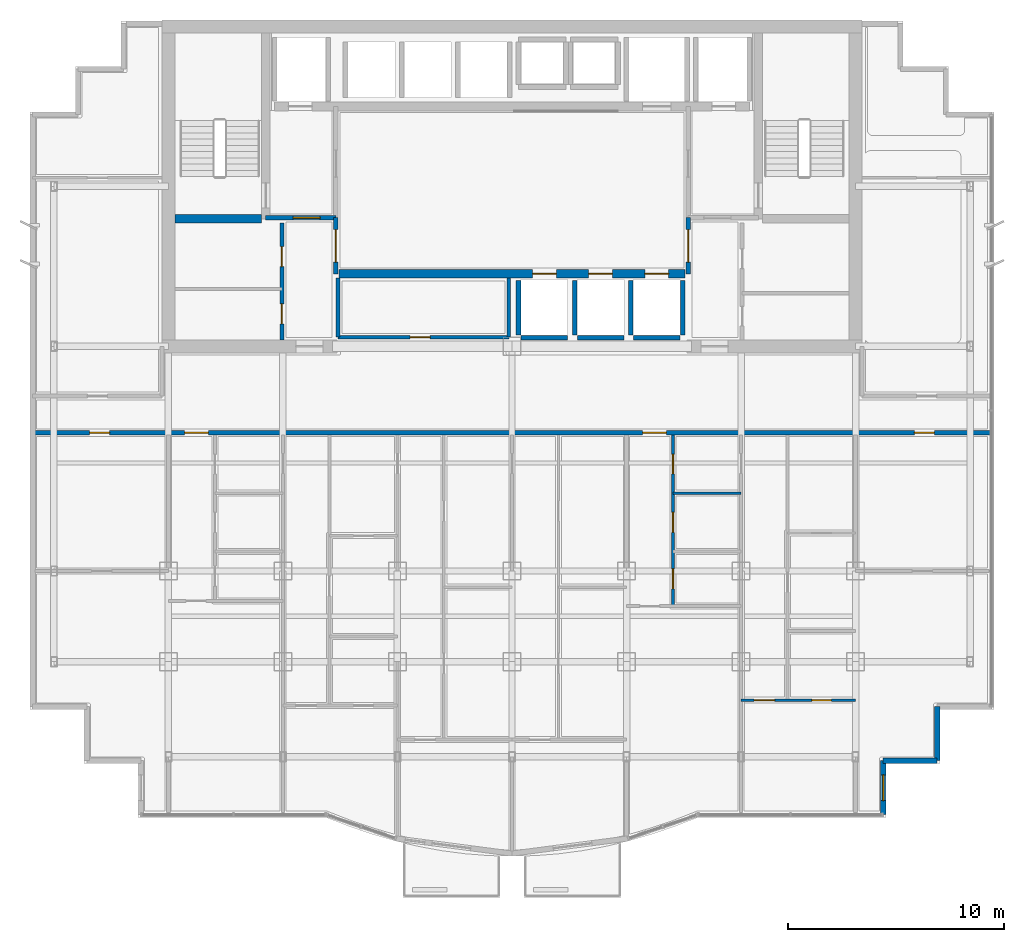
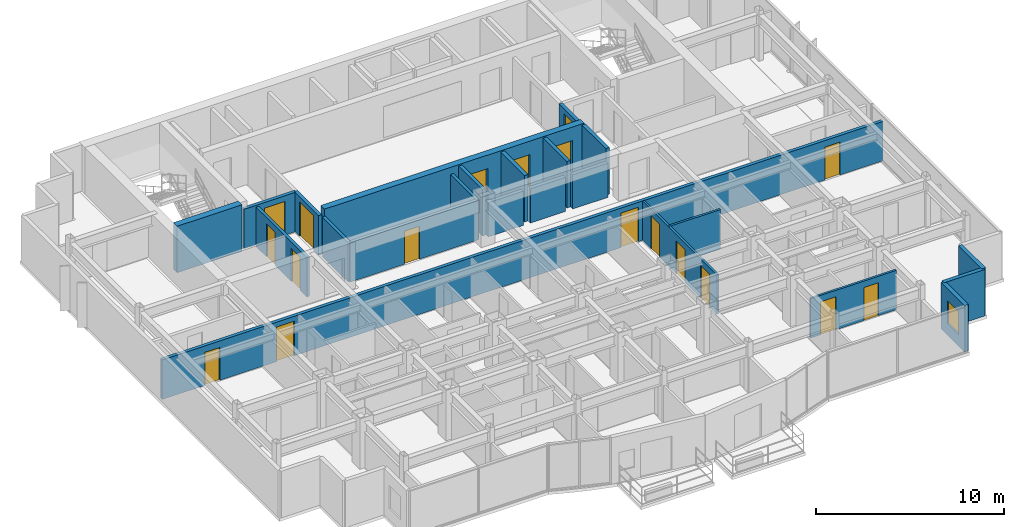
# One storey, part 9 of 13: 23 walls, 18 doors, 1 window, 19 openings.
"""IFC4 building model written with IfcOpenShell, lengths in metres."""

from ifc_helpers import new_model, si_unit, direction, frame, frame_2d, origin, place, context, subcontext, project, spatial, rectangle, extrude, material, layer, layer_set, type_object, element, fill, save


model = new_model("IFC4")

# Units and contexts
model_context = context("Model", 3, precision=1e-05, world=origin(), true_north=direction((0.0, 1.0)))
body_context = subcontext(model_context, "Body", "Model", "MODEL_VIEW")
ifc_project = project(units=[si_unit("LENGTHUNIT", "METRE"), si_unit("AREAUNIT", "SQUARE_METRE"), si_unit("VOLUMEUNIT", "CUBIC_METRE"), si_unit("PLANEANGLEUNIT", "RADIAN"), si_unit("MASSUNIT", "GRAM", prefix="KILO")], contexts=[model_context])

# Site, building, storey
site_placement = place(None, origin())
site = spatial("IfcSite", under=ifc_project, at=site_placement, CompositionType="ELEMENT")
building_placement = place(site_placement, origin())
building = spatial("IfcBuilding", under=site, at=building_placement, Name="Qianlan Lanfeng Residences", CompositionType="ELEMENT")
storey_placement = place(building_placement, frame((0.0, 0.0, 182.10009765625)))
storey = spatial("IfcBuildingStorey", under=building, at=storey_placement, Name="L50", CompositionType="ELEMENT", Elevation=182.10009765625)

# Wall
ifc_material_1 = material(Name="Concrete C56", Category="concrete")
ifc_layer_1 = layer(ifc_material_1, 0.39990234375)
ifc_layer_set_1 = layer_set([ifc_layer_1], Name="Concrete C56")
wall_type_1 = type_object("IfcWallType", Name="CW-RC-400", PredefinedType="SHEAR", material=ifc_layer_set_1)
wall_1_placement = place(storey_placement, frame((10.89990234375, 31.10009765625, 0.0), z_axis=(0.0, 0.0, 1.0), x_axis=(1.0, 0.0, 0.0)))
element("IfcWall", 1, at=wall_1_placement, inside=storey, type_object=wall_type_1, Name="L50 Core Shear Wall ST1S", PredefinedType="SHEAR", context=body_context, shape_type="SweptSolid", body=[
    extrude(rectangle(XDim=4.0, YDim=0.39990234375, at=frame_2d((2.0, 0.0))), origin(), (0.0, 0.0, 1.0), 3.02978515625),
])

# Wall, openings, doors
wall_2_placement = place(storey_placement, frame((18.5, 28.550048828125, 0.0), z_axis=(0.0, 0.0, 1.0), x_axis=(1.0, 0.0, 0.0)))
wall_2 = element("IfcWall", 2, at=wall_2_placement, inside=storey, type_object=wall_type_1, Name="L50 Core Shear Wall LBS", PredefinedType="SHEAR", context=body_context, shape_type="SweptSolid", body=[
    extrude(rectangle(XDim=16.0, YDim=0.39990234375, at=frame_2d((8.0, 0.0))), origin(), (0.0, 0.0, 1.0), 3.02978515625),
])
opening_1_placement = place(wall_2_placement, frame((8.949951171875, 0.0, 0.0)))
opening_1 = element("IfcOpeningElement", 3, at=opening_1_placement, cuts=wall_2, Name="Opening L50-LD-PL-M1", PredefinedType="OPENING", context=body_context, shape_type="SweptSolid", body=[
    extrude(rectangle(XDim=1.10009765625, YDim=2.14990234375, at=frame_2d((0.550048828125, 1.074951171875))), frame((0.0, 0.2099609375, 0.0), z_axis=(0.0, -1.0, 0.0), x_axis=(1.0, 0.0, 0.0)), (0.0, 0.0, 1.0), 0.419921875),
])
opening_2_placement = place(wall_2_placement, frame((11.550048828125, 0.0, 0.0)))
opening_2 = element("IfcOpeningElement", 4, at=opening_2_placement, cuts=wall_2, Name="Opening L50-LD-PL-M2", PredefinedType="OPENING", context=body_context, shape_type="SweptSolid", body=[
    extrude(rectangle(XDim=1.10009765625, YDim=2.14990234375, at=frame_2d((0.550048828125, 1.074951171875))), frame((0.0, 0.2099609375, 0.0), z_axis=(0.0, -1.0, 0.0), x_axis=(1.0, 0.0, 0.0)), (0.0, 0.0, 1.0), 0.419921875),
])
opening_3_placement = place(wall_2_placement, frame((14.14990234375, 0.0, 0.0)))
opening_3 = element("IfcOpeningElement", 5, at=opening_3_placement, cuts=wall_2, Name="Opening L50-LD-PL-M3", PredefinedType="OPENING", context=body_context, shape_type="SweptSolid", body=[
    extrude(rectangle(XDim=1.10009765625, YDim=2.14990234375, at=frame_2d((0.550048828125, 1.074951171875))), frame((0.0, 0.2099609375, 0.0), z_axis=(0.0, -1.0, 0.0), x_axis=(1.0, 0.0, 0.0)), (0.0, 0.0, 1.0), 0.419921875),
])
ifc_material_2 = material(Name="Brushed Stainless Steel Sliding Lift Door", Category="steel")
door_type_1 = type_object("IfcDoorType", Name="LD-01", OperationType="NOTDEFINED", PredefinedType="DOOR", material=ifc_material_2)
door_1_placement = place(opening_1_placement, origin())
door_1 = element("IfcDoor", 6, at=door_1_placement, inside=storey, type_object=door_type_1, Name="L50 Elevator PL-M1 Sliding Landing Door", OperationType="DOUBLE_DOOR_SLIDING", OverallHeight=2.14990234375, OverallWidth=1.10009765625, PredefinedType="DOOR", context=body_context, shape_type="SweptSolid", body=[
    extrude(rectangle(XDim=1.10009765625, YDim=2.14990234375, at=frame_2d((0.550048828125, 1.074951171875))), frame((0.0, 0.02490234375, 0.0), z_axis=(0.0, -1.0, 0.0), x_axis=(1.0, 0.0, 0.0)), (0.0, 0.0, 1.0), 0.050048828125),
])
fill(opening_1, door_1)
door_2_placement = place(opening_2_placement, origin())
door_2 = element("IfcDoor", 7, at=door_2_placement, inside=storey, type_object=door_type_1, Name="L50 Elevator PL-M2 Sliding Landing Door", OperationType="DOUBLE_DOOR_SLIDING", OverallHeight=2.14990234375, OverallWidth=1.10009765625, PredefinedType="DOOR", context=body_context, shape_type="SweptSolid", body=[
    extrude(rectangle(XDim=1.10009765625, YDim=2.14990234375, at=frame_2d((0.550048828125, 1.074951171875))), frame((0.0, 0.02490234375, 0.0), z_axis=(0.0, -1.0, 0.0), x_axis=(1.0, 0.0, 0.0)), (0.0, 0.0, 1.0), 0.050048828125),
])
fill(opening_2, door_2)
door_3_placement = place(opening_3_placement, origin())
door_3 = element("IfcDoor", 8, at=door_3_placement, inside=storey, type_object=door_type_1, Name="L50 Elevator PL-M3 Sliding Landing Door", OperationType="DOUBLE_DOOR_SLIDING", OverallHeight=2.14990234375, OverallWidth=1.10009765625, PredefinedType="DOOR", context=body_context, shape_type="SweptSolid", body=[
    extrude(rectangle(XDim=1.10009765625, YDim=2.14990234375, at=frame_2d((0.550048828125, 1.074951171875))), frame((0.0, 0.02490234375, 0.0), z_axis=(0.0, -1.0, 0.0), x_axis=(1.0, 0.0, 0.0)), (0.0, 0.0, 1.0), 0.050048828125),
])
fill(opening_3, door_3)

# Wall, opening, window
ifc_material_3 = material(Name="Concrete C42", Category="concrete")
ifc_layer_2 = layer(ifc_material_3, 0.239990234375)
ifc_layer_set_2 = layer_set([ifc_layer_2], Name="Concrete C42")
wall_type_2 = type_object("IfcWallType", Name="EW-240", PredefinedType="SOLIDWALL", material=ifc_layer_set_2)
wall_3_placement = place(storey_placement, frame((43.679931640625, 3.52001953125, 0.0), z_axis=(0.0, 0.0, 1.0), x_axis=(0.0, 1.0, 0.0)))
wall_3 = element("IfcWall", 9, at=wall_3_placement, inside=storey, type_object=wall_type_2, Name="L50 Exterior Facade Spandrel Wall 7", PredefinedType="SOLIDWALL", context=body_context, shape_type="SweptSolid", body=[
    extrude(rectangle(XDim=2.5, YDim=0.239990234375, at=frame_2d((1.25, 0.0))), origin(), (0.0, 0.0, 1.0), 3.02978515625),
])
opening_4_placement = place(wall_3_placement, frame((0.64990234375, 0.0, 0.75)))
opening_4 = element("IfcOpeningElement", 10, at=opening_4_placement, cuts=wall_3, Name="Opening W-03", PredefinedType="OPENING", context=body_context, shape_type="SweptSolid", body=[
    extrude(rectangle(XDim=1.199951171875, YDim=1.5, at=frame_2d((0.60009765625, 0.75))), frame((0.0, 0.1298828125, 0.0), z_axis=(0.0, -1.0, 0.0), x_axis=(1.0, 0.0, 0.0)), (0.0, 0.0, 1.0), 0.260009765625),
])
ifc_material_4 = material(Name="Anodised Bronze Aluminium Framed Double Glazing", Category="aluminium")
window_type = type_object("IfcWindowType", Name="W-03", PartitioningType="SINGLE_PANEL", PredefinedType="WINDOW", material=ifc_material_4)
window_placement = place(opening_4_placement, origin())
window = element("IfcWindow", 11, at=window_placement, inside=storey, type_object=window_type, Name="L50 Facade Punched Window W-03", OverallHeight=1.5, OverallWidth=1.199951171875, PartitioningType="SINGLE_PANEL", PredefinedType="WINDOW", context=body_context, shape_type="SweptSolid", body=[
    extrude(rectangle(XDim=1.199951171875, YDim=1.5, at=frame_2d((0.60009765625, 0.75))), frame((0.0, 0.030029296875, 0.0), z_axis=(0.0, -1.0, 0.0), x_axis=(1.0, 0.0, 0.0)), (0.0, 0.0, 1.0), 0.06005859375),
])
fill(opening_4, window)

# Walls
for number, where, z_axis, x_axis, name in (
    (12, (43.679931640625, 6.02001953125, 0.0), (0.0, 0.0, 1.0), (1.0, 0.0, 0.0), "L50 Exterior Facade Spandrel Wall 8"),
    (13, (46.179931640625, 6.02001953125, 0.0), (0.0, 0.0, 1.0), (0.0, 1.0, 0.0), "L50 Exterior Facade Spandrel Wall 9"),
):
    element("IfcWall", number, at=place(storey_placement, frame(where, z_axis=z_axis, x_axis=x_axis)), inside=storey, type_object=wall_type_2, Name=name, PredefinedType="SOLIDWALL", context=body_context, shape_type="SweptSolid", body=[
        extrude(rectangle(XDim=2.5, YDim=0.239990234375, at=frame_2d((1.25, 0.0))), origin(), (0.0, 0.0, 1.0), 3.02978515625),
    ])

# Wall, openings, doors
ifc_material_5 = material(Name="Moisture-Resistant Gypsum Partition 135 mm")
ifc_layer_3 = layer(ifc_material_5, 0.135009765625)
ifc_layer_set_3 = layer_set([ifc_layer_3], Name="Moisture-Resistant Gypsum Partition 135 mm")
wall_type_3 = type_object("IfcWallType", Name="PW-135", PredefinedType="PARTITIONING", material=ifc_layer_set_3)
wall_4_placement = place(storey_placement, frame((33.949951171875, 13.174072265625, 0.0), z_axis=(0.0, 0.0, 1.0), x_axis=(0.0, 1.0, 0.0)))
wall_4 = element("IfcWall", 14, at=wall_4_placement, inside=storey, type_object=wall_type_3, Name="L50 U02 Entry Hall Spine", PredefinedType="PARTITIONING", context=body_context, shape_type="SweptSolid", body=[
    extrude(rectangle(XDim=7.926025390625, YDim=0.135009765625, at=frame_2d((3.962890625, 0.0))), origin(), (0.0, 0.0, 1.0), 2.56982421875),
])
opening_5_placement = place(wall_4_placement, frame((0.802978515625, 0.0, 0.0)))
opening_5 = element("IfcOpeningElement", 15, at=opening_5_placement, cuts=wall_4, Name="Opening L50-D37", PredefinedType="OPENING", context=body_context, shape_type="SweptSolid", body=[
    extrude(rectangle(XDim=0.919921875, YDim=2.14990234375, at=frame_2d((0.4599609375, 1.074951171875))), frame((0.0, 0.07763671875, 0.0), z_axis=(0.0, -1.0, 0.0), x_axis=(1.0, 0.0, 0.0)), (0.0, 0.0, 1.0), 0.155029296875),
])
opening_6_placement = place(wall_4_placement, frame((3.416015625, 0.0, 0.0)))
opening_6 = element("IfcOpeningElement", 16, at=opening_6_placement, cuts=wall_4, Name="Opening L50-D38", PredefinedType="OPENING", context=body_context, shape_type="SweptSolid", body=[
    extrude(rectangle(XDim=0.919921875, YDim=2.14990234375, at=frame_2d((0.4599609375, 1.074951171875))), frame((0.0, 0.07763671875, 0.0), z_axis=(0.0, -1.0, 0.0), x_axis=(1.0, 0.0, 0.0)), (0.0, 0.0, 1.0), 0.155029296875),
])
opening_7_placement = place(wall_4_placement, frame((6.1259765625, 0.0, 0.0)))
opening_7 = element("IfcOpeningElement", 17, at=opening_7_placement, cuts=wall_4, Name="Opening L50-D39", PredefinedType="OPENING", context=body_context, shape_type="SweptSolid", body=[
    extrude(rectangle(XDim=0.89990234375, YDim=2.14990234375, at=frame_2d((0.449951171875, 1.074951171875))), frame((0.0, 0.07763671875, 0.0), z_axis=(0.0, -1.0, 0.0), x_axis=(1.0, 0.0, 0.0)), (0.0, 0.0, 1.0), 0.155029296875),
])
ifc_material_6 = material(Name="Glazed Timber Kitchen/Study Door", Category="wood")
door_type_2 = type_object("IfcDoorType", Name="DT-INT", OperationType="NOTDEFINED", PredefinedType="DOOR", material=ifc_material_6)
door_4_placement = place(opening_5_placement, origin())
door_4 = element("IfcDoor", 18, at=door_4_placement, inside=storey, type_object=door_type_2, Name="L50 U02 Study Door L50-D37 (DT-INT)", OperationType="SINGLE_SWING_RIGHT", OverallHeight=2.14990234375, OverallWidth=0.919921875, PredefinedType="DOOR", context=body_context, shape_type="SweptSolid", body=[
    extrude(rectangle(XDim=0.919921875, YDim=2.14990234375, at=frame_2d((0.4599609375, 1.074951171875))), frame((0.0, 0.02490234375, 0.0), z_axis=(0.0, -1.0, 0.0), x_axis=(1.0, 0.0, 0.0)), (0.0, 0.0, 1.0), 0.050048828125),
])
fill(opening_5, door_4)
door_5_placement = place(opening_6_placement, origin())
door_5 = element("IfcDoor", 19, at=door_5_placement, inside=storey, type_object=door_type_2, Name="L50 U02 Kitchen Door L50-D38 (DT-INT)", OperationType="SINGLE_SWING_LEFT", OverallHeight=2.14990234375, OverallWidth=0.919921875, PredefinedType="DOOR", context=body_context, shape_type="SweptSolid", body=[
    extrude(rectangle(XDim=0.919921875, YDim=2.14990234375, at=frame_2d((0.4599609375, 1.074951171875))), frame((0.0, 0.02490234375, 0.0), z_axis=(0.0, -1.0, 0.0), x_axis=(1.0, 0.0, 0.0)), (0.0, 0.0, 1.0), 0.050048828125),
])
fill(opening_6, door_5)
ifc_material_7 = material(Name="Moisture-Resistant Timber Leaf", Category="wood")
door_type_3 = type_object("IfcDoorType", Name="DT-WC", OperationType="NOTDEFINED", PredefinedType="DOOR", material=ifc_material_7)
door_6_placement = place(opening_7_placement, origin())
door_6 = element("IfcDoor", 20, at=door_6_placement, inside=storey, type_object=door_type_3, Name="L50 U02 Bathroom Door L50-D39 (DT-WC)", OperationType="SINGLE_SWING_RIGHT", OverallHeight=2.14990234375, OverallWidth=0.89990234375, PredefinedType="DOOR", context=body_context, shape_type="SweptSolid", body=[
    extrude(rectangle(XDim=0.89990234375, YDim=2.14990234375, at=frame_2d((0.449951171875, 1.074951171875))), frame((0.0, 0.02490234375, 0.0), z_axis=(0.0, -1.0, 0.0), x_axis=(1.0, 0.0, 0.0)), (0.0, 0.0, 1.0), 0.050048828125),
])
fill(opening_7, door_6)

# Wall
wall_5_placement = place(storey_placement, frame((33.949951171875, 18.39990234375, 0.0), z_axis=(0.0, 0.0, 1.0), x_axis=(1.0, 0.0, 0.0)))
element("IfcWall", 21, at=wall_5_placement, inside=storey, type_object=wall_type_3, Name="L50 U02 Bathroom South Wall", PredefinedType="PARTITIONING", context=body_context, shape_type="SweptSolid", body=[
    extrude(rectangle(XDim=3.150146484375, YDim=0.135009765625, at=frame_2d((1.5751953125, 0.0))), origin(), (0.0, 0.0, 1.0), 2.56982421875),
])

# Wall, openings, doors
wall_6_placement = place(storey_placement, frame((37.10009765625, 8.820068359375, 0.0), z_axis=(0.0, 0.0, 1.0), x_axis=(1.0, 0.0, 0.0)))
wall_6 = element("IfcWall", 22, at=wall_6_placement, inside=storey, type_object=wall_type_3, Name="L50 U02 Master Bedroom North Wall", PredefinedType="PARTITIONING", context=body_context, shape_type="SweptSolid", body=[
    extrude(rectangle(XDim=5.2998046875, YDim=0.135009765625, at=frame_2d((2.64990234375, 0.0))), origin(), (0.0, 0.0, 1.0), 2.56982421875),
])
opening_8_placement = place(wall_6_placement, frame((0.60009765625, 0.0, 0.0)))
opening_8 = element("IfcOpeningElement", 23, at=opening_8_placement, cuts=wall_6, Name="Opening L50-D40", PredefinedType="OPENING", context=body_context, shape_type="SweptSolid", body=[
    extrude(rectangle(XDim=0.949951171875, YDim=2.14990234375, at=frame_2d((0.47509765625, 1.074951171875))), frame((0.0, 0.07763671875, 0.0), z_axis=(0.0, -1.0, 0.0), x_axis=(1.0, 0.0, 0.0)), (0.0, 0.0, 1.0), 0.155029296875),
])
opening_9_placement = place(wall_6_placement, frame((3.27490234375, 0.0, 0.0)))
opening_9 = element("IfcOpeningElement", 24, at=opening_9_placement, cuts=wall_6, Name="Opening L50-D41", PredefinedType="OPENING", context=body_context, shape_type="SweptSolid", body=[
    extrude(rectangle(XDim=0.89990234375, YDim=2.14990234375, at=frame_2d((0.449951171875, 1.074951171875))), frame((0.0, 0.07763671875, 0.0), z_axis=(0.0, -1.0, 0.0), x_axis=(1.0, 0.0, 0.0)), (0.0, 0.0, 1.0), 0.155029296875),
])
ifc_material_8 = material(Name="Painted Solid-Core Timber Leaf", Category="wood")
door_type_4 = type_object("IfcDoorType", Name="DT-BED", OperationType="NOTDEFINED", PredefinedType="DOOR", material=ifc_material_8)
door_7_placement = place(opening_8_placement, frame((0.949951171875, 0.0, 0.0), z_axis=(0.0, 0.0, 1.0), x_axis=(-1.0, 0.0, 0.0)))
door_7 = element("IfcDoor", 25, at=door_7_placement, inside=storey, type_object=door_type_4, Name="L50 U02 Master Bedroom Door L50-D40 (DT-BED)", OperationType="SINGLE_SWING_RIGHT", OverallHeight=2.14990234375, OverallWidth=0.949951171875, PredefinedType="DOOR", context=body_context, shape_type="SweptSolid", body=[
    extrude(rectangle(XDim=0.949951171875, YDim=2.14990234375, at=frame_2d((0.47509765625, 1.074951171875))), frame((0.0, 0.02490234375, 0.0), z_axis=(0.0, -1.0, 0.0), x_axis=(1.0, 0.0, 0.0)), (0.0, 0.0, 1.0), 0.050048828125),
])
fill(opening_8, door_7)
door_8_placement = place(opening_9_placement, origin())
door_8 = element("IfcDoor", 26, at=door_8_placement, inside=storey, type_object=door_type_3, Name="L50 U02 En-Suite Bathroom Door L50-D41 (DT-WC)", OperationType="SINGLE_SWING_RIGHT", OverallHeight=2.14990234375, OverallWidth=0.89990234375, PredefinedType="DOOR", context=body_context, shape_type="SweptSolid", body=[
    extrude(rectangle(XDim=0.89990234375, YDim=2.14990234375, at=frame_2d((0.449951171875, 1.074951171875))), frame((0.0, 0.02490234375, 0.0), z_axis=(0.0, -1.0, 0.0), x_axis=(1.0, 0.0, 0.0)), (0.0, 0.0, 1.0), 0.050048828125),
])
fill(opening_9, door_8)

ifc_material_9 = material(Name="Double-Layer Acoustic Gypsum Stud Wall 180 mm")
ifc_layer_4 = layer(ifc_material_9, 0.179931640625)
ifc_layer_set_4 = layer_set([ifc_layer_4], Name="Double-Layer Acoustic Gypsum Stud Wall 180 mm")
wall_type_4 = type_object("IfcWallType", Name="PW-180", PredefinedType="PARTITIONING", material=ifc_layer_set_4)
wall_7_placement = place(storey_placement, frame((15.85009765625, 25.5, 0.0), z_axis=(0.0, 0.0, 1.0), x_axis=(0.0, 1.0, 0.0)))
wall_7 = element("IfcWall", 27, at=wall_7_placement, inside=storey, type_object=wall_type_4, Name="L50 Core West Service Room Wall", PredefinedType="PARTITIONING", context=body_context, shape_type="SweptSolid", body=[
    extrude(rectangle(XDim=5.39990234375, YDim=0.179931640625, at=frame_2d((2.699951171875, 0.0))), origin(), (0.0, 0.0, 1.0), 2.56982421875),
])
opening_10_placement = place(wall_7_placement, frame((0.739990234375, 0.0, 0.0)))
opening_10 = element("IfcOpeningElement", 28, at=opening_10_placement, cuts=wall_7, Name="Opening L50-D09", PredefinedType="OPENING", context=body_context, shape_type="SweptSolid", body=[
    extrude(rectangle(XDim=0.919921875, YDim=2.14990234375, at=frame_2d((0.4599609375, 1.074951171875))), frame((0.0, 0.10009765625, 0.0), z_axis=(0.0, -1.0, 0.0), x_axis=(1.0, 0.0, 0.0)), (0.0, 0.0, 1.0), 0.199951171875),
])
opening_11_placement = place(wall_7_placement, frame((3.389892578125, 0.0, 0.0)))
opening_11 = element("IfcOpeningElement", 29, at=opening_11_placement, cuts=wall_7, Name="Opening L50-D10", PredefinedType="OPENING", context=body_context, shape_type="SweptSolid", body=[
    extrude(rectangle(XDim=0.919921875, YDim=2.14990234375, at=frame_2d((0.4599609375, 1.074951171875))), frame((0.0, 0.10009765625, 0.0), z_axis=(0.0, -1.0, 0.0), x_axis=(1.0, 0.0, 0.0)), (0.0, 0.0, 1.0), 0.199951171875),
])
door_9_placement = place(opening_10_placement, origin())
door_9 = element("IfcDoor", 30, at=door_9_placement, inside=storey, type_object=door_type_2, Name="L50 Parcel Room Door L50-D09 (DT-INT)", OperationType="SINGLE_SWING_LEFT", OverallHeight=2.14990234375, OverallWidth=0.919921875, PredefinedType="DOOR", context=body_context, shape_type="SweptSolid", body=[
    extrude(rectangle(XDim=0.919921875, YDim=2.14990234375, at=frame_2d((0.4599609375, 1.074951171875))), frame((0.0, 0.02490234375, 0.0), z_axis=(0.0, -1.0, 0.0), x_axis=(1.0, 0.0, 0.0)), (0.0, 0.0, 1.0), 0.050048828125),
])
fill(opening_10, door_9)
door_10_placement = place(opening_11_placement, origin())
door_10 = element("IfcDoor", 31, at=door_10_placement, inside=storey, type_object=door_type_2, Name="L50 Janitor Closet Door L50-D10 (DT-INT)", OperationType="SINGLE_SWING_LEFT", OverallHeight=2.14990234375, OverallWidth=0.919921875, PredefinedType="DOOR", context=body_context, shape_type="SweptSolid", body=[
    extrude(rectangle(XDim=0.919921875, YDim=2.14990234375, at=frame_2d((0.4599609375, 1.074951171875))), frame((0.0, 0.02490234375, 0.0), z_axis=(0.0, -1.0, 0.0), x_axis=(1.0, 0.0, 0.0)), (0.0, 0.0, 1.0), 0.050048828125),
])
fill(opening_11, door_10)

# Walls
for number, where, z_axis, x_axis, name in (
    (32, (18.449951171875, 25.6201171875, 0.0), (0.0, 0.0, 1.0), (0.0, 1.0, 0.0), "L50 Reclaimed Low-Bank Room West Wall"),
    (33, (26.35009765625, 25.6201171875, 0.0), (0.0, 0.0, 1.0), (0.0, 1.0, 0.0), "L50 Reclaimed Low-Bank Room East Wall"),
):
    element("IfcWall", number, at=place(storey_placement, frame(where, z_axis=z_axis, x_axis=x_axis)), inside=storey, type_object=wall_type_4, Name=name, PredefinedType="PARTITIONING", context=body_context, shape_type="SweptSolid", body=[
        extrude(rectangle(XDim=2.72998046875, YDim=0.179931640625, at=frame_2d((1.364990234375, 0.0))), origin(), (0.0, 0.0, 1.0), 2.56982421875),
    ])

# Wall, opening, door
wall_8_placement = place(storey_placement, frame((18.449951171875, 25.6201171875, 0.0), z_axis=(0.0, 0.0, 1.0), x_axis=(1.0, 0.0, 0.0)))
wall_8 = element("IfcWall", 34, at=wall_8_placement, inside=storey, type_object=wall_type_4, Name="L50 Reclaimed Low-Bank Room South Wall", PredefinedType="PARTITIONING", context=body_context, shape_type="SweptSolid", body=[
    extrude(rectangle(XDim=7.900146484375, YDim=0.179931640625, at=frame_2d((3.9501953125, 0.0))), origin(), (0.0, 0.0, 1.0), 2.56982421875),
])
opening_12_placement = place(wall_8_placement, frame((3.340087890625, 0.0, 0.0)))
opening_12 = element("IfcOpeningElement", 35, at=opening_12_placement, cuts=wall_8, Name="Opening L50-D15", PredefinedType="OPENING", context=body_context, shape_type="SweptSolid", body=[
    extrude(rectangle(XDim=0.919921875, YDim=2.14990234375, at=frame_2d((0.4599609375, 1.074951171875))), frame((0.0, 0.10009765625, 0.0), z_axis=(0.0, -1.0, 0.0), x_axis=(1.0, 0.0, 0.0)), (0.0, 0.0, 1.0), 0.199951171875),
])
door_11_placement = place(opening_12_placement, origin())
door_11 = element("IfcDoor", 36, at=door_11_placement, inside=storey, type_object=door_type_2, Name="L50 Reclaimed Core Salon Door L50-D15 (DT-INT)", OperationType="SINGLE_SWING_RIGHT", OverallHeight=2.14990234375, OverallWidth=0.919921875, PredefinedType="DOOR", context=body_context, shape_type="SweptSolid", body=[
    extrude(rectangle(XDim=0.919921875, YDim=2.14990234375, at=frame_2d((0.4599609375, 1.074951171875))), frame((0.0, 0.02490234375, 0.0), z_axis=(0.0, -1.0, 0.0), x_axis=(1.0, 0.0, 0.0)), (0.0, 0.0, 1.0), 0.050048828125),
])
fill(opening_12, door_11)

ifc_material_10 = material(Name="Autoclaved Aerated Concrete Blockwork 200 mm", Category="masonry")
ifc_layer_5 = layer(ifc_material_10, 0.199951171875)
ifc_layer_set_5 = layer_set([ifc_layer_5], Name="Autoclaved Aerated Concrete Blockwork 200 mm")
wall_type_5 = type_object("IfcWallType", Name="PW-200", PredefinedType="PARTITIONING", material=ifc_layer_set_5)
wall_9_placement = place(storey_placement, frame((15.10009765625, 31.14990234375, 0.0), z_axis=(0.0, 0.0, 1.0), x_axis=(1.0, 0.0, 0.0)))
wall_9 = element("IfcWall", 37, at=wall_9_placement, inside=storey, type_object=wall_type_5, Name="L50 Firefighting Lobby 1 South Wall", PredefinedType="PARTITIONING", context=body_context, shape_type="SweptSolid", body=[
    extrude(rectangle(XDim=3.25, YDim=0.199951171875, at=frame_2d((1.625, 0.0))), origin(), (0.0, 0.0, 1.0), 2.56982421875),
])
opening_13_placement = place(wall_9_placement, frame((1.27490234375, 0.0, 0.0)))
opening_13 = element("IfcOpeningElement", 38, at=opening_13_placement, cuts=wall_9, Name="Opening L50-D03", PredefinedType="OPENING", context=body_context, shape_type="SweptSolid", body=[
    extrude(rectangle(XDim=1.25, YDim=2.199951171875, at=frame_2d((0.625, 1.10009765625))), frame((0.0, 0.10986328125, 0.0), z_axis=(0.0, -1.0, 0.0), x_axis=(1.0, 0.0, 0.0)), (0.0, 0.0, 1.0), 0.219970703125),
])
ifc_material_11 = material(Name="Painted Galvanised Steel Fire Door", Category="steel")
door_type_5 = type_object("IfcDoorType", Name="DT-FFL", OperationType="NOTDEFINED", PredefinedType="DOOR", material=ifc_material_11)
door_12_placement = place(opening_13_placement, origin())
door_12 = element("IfcDoor", 39, at=door_12_placement, inside=storey, type_object=door_type_5, Name="L50 Firefighting Lobby 1 Entry Door L50-D03 (DT-FFL)", OperationType="SINGLE_SWING_LEFT", OverallHeight=2.199951171875, OverallWidth=1.25, PredefinedType="DOOR", context=body_context, shape_type="SweptSolid", body=[
    extrude(rectangle(XDim=1.25, YDim=2.199951171875, at=frame_2d((0.625, 1.10009765625))), frame((0.0, 0.02490234375, 0.0), z_axis=(0.0, -1.0, 0.0), x_axis=(1.0, 0.0, 0.0)), (0.0, 0.0, 1.0), 0.050048828125),
])
fill(opening_13, door_12)

wall_10_placement = place(storey_placement, frame((18.35009765625, 28.550048828125, 0.0), z_axis=(0.0, 0.0, 1.0), x_axis=(0.0, 1.0, 0.0)))
wall_10 = element("IfcWall", 40, at=wall_10_placement, inside=storey, type_object=wall_type_5, Name="L50 Lift Lobby West Connector Wall", PredefinedType="PARTITIONING", context=body_context, shape_type="SweptSolid", body=[
    extrude(rectangle(XDim=2.599853515625, YDim=0.199951171875, at=frame_2d((1.2998046875, 0.0))), origin(), (0.0, 0.0, 1.0), 2.56982421875),
])
opening_14_placement = place(wall_10_placement, frame((0.550048828125, 0.0, 0.0)))
opening_14 = element("IfcOpeningElement", 41, at=opening_14_placement, cuts=wall_10, Name="Opening L50-D13", PredefinedType="OPENING", context=body_context, shape_type="SweptSolid", body=[
    extrude(rectangle(XDim=1.5, YDim=2.25, at=frame_2d((0.75, 1.125))), frame((0.0, 0.10986328125, 0.0), z_axis=(0.0, -1.0, 0.0), x_axis=(1.0, 0.0, 0.0)), (0.0, 0.0, 1.0), 0.219970703125),
])
ifc_material_12 = material(Name="Timber Veneer Acoustic Fire Door", Category="wood")
door_type_6 = type_object("IfcDoorType", Name="DT-COR1", OperationType="NOTDEFINED", PredefinedType="DOOR", material=ifc_material_12)
door_13_placement = place(opening_14_placement, origin())
door_13 = element("IfcDoor", 42, at=door_13_placement, inside=storey, type_object=door_type_6, Name="L50 Lift Lobby West Portal Door L50-D13 (DT-COR1)", OperationType="DOUBLE_DOOR_SINGLE_SWING", OverallHeight=2.25, OverallWidth=1.5, PredefinedType="DOOR", context=body_context, shape_type="SweptSolid", body=[
    extrude(rectangle(XDim=1.5, YDim=2.25, at=frame_2d((0.75, 1.125))), frame((0.0, 0.02490234375, 0.0), z_axis=(0.0, -1.0, 0.0), x_axis=(1.0, 0.0, 0.0)), (0.0, 0.0, 1.0), 0.050048828125),
])
fill(opening_14, door_13)

wall_11_placement = place(storey_placement, frame((34.64990234375, 28.550048828125, 0.0), z_axis=(0.0, 0.0, 1.0), x_axis=(0.0, 1.0, 0.0)))
wall_11 = element("IfcWall", 43, at=wall_11_placement, inside=storey, type_object=wall_type_5, Name="L50 Lift Lobby East Connector Wall", PredefinedType="PARTITIONING", context=body_context, shape_type="SweptSolid", body=[
    extrude(rectangle(XDim=2.599853515625, YDim=0.199951171875, at=frame_2d((1.2998046875, 0.0))), origin(), (0.0, 0.0, 1.0), 2.56982421875),
])
opening_15_placement = place(wall_11_placement, frame((0.550048828125, 0.0, 0.0)))
opening_15 = element("IfcOpeningElement", 44, at=opening_15_placement, cuts=wall_11, Name="Opening L50-D14", PredefinedType="OPENING", context=body_context, shape_type="SweptSolid", body=[
    extrude(rectangle(XDim=1.5, YDim=2.25, at=frame_2d((0.75, 1.125))), frame((0.0, 0.10986328125, 0.0), z_axis=(0.0, -1.0, 0.0), x_axis=(1.0, 0.0, 0.0)), (0.0, 0.0, 1.0), 0.219970703125),
])
door_14_placement = place(opening_15_placement, frame((1.5, 0.0, 0.0), z_axis=(0.0, 0.0, 1.0), x_axis=(-1.0, 0.0, 0.0)))
door_14 = element("IfcDoor", 45, at=door_14_placement, inside=storey, type_object=door_type_6, Name="L50 Lift Lobby East Portal Door L50-D14 (DT-COR1)", OperationType="DOUBLE_DOOR_SINGLE_SWING", OverallHeight=2.25, OverallWidth=1.5, PredefinedType="DOOR", context=body_context, shape_type="SweptSolid", body=[
    extrude(rectangle(XDim=1.5, YDim=2.25, at=frame_2d((0.75, 1.125))), frame((0.0, 0.02490234375, 0.0), z_axis=(0.0, -1.0, 0.0), x_axis=(1.0, 0.0, 0.0)), (0.0, 0.0, 1.0), 0.050048828125),
])
fill(opening_15, door_14)

# Wall, openings, doors
wall_12_placement = place(storey_placement, frame((4.320068359375, 21.199951171875, 0.0), z_axis=(0.0, 0.0, 1.0), x_axis=(1.0, 0.0, 0.0)))
wall_12 = element("IfcWall", 46, at=wall_12_placement, inside=storey, type_object=wall_type_5, Name="L50 Residential Corridor South Fire Wall", PredefinedType="PARTITIONING", context=body_context, shape_type="SweptSolid", body=[
    extrude(rectangle(XDim=44.35986328125, YDim=0.199951171875, at=frame_2d((22.179931640625, 0.0))), origin(), (0.0, 0.0, 1.0), 2.56982421875),
])
opening_16_placement = place(wall_12_placement, frame((7.030029296875, 0.0, 0.0)))
opening_16 = element("IfcOpeningElement", 47, at=opening_16_placement, cuts=wall_12, Name="Opening L50-D16", PredefinedType="OPENING", context=body_context, shape_type="SweptSolid", body=[
    extrude(rectangle(XDim=1.10009765625, YDim=2.25, at=frame_2d((0.550048828125, 1.125))), frame((0.0, 0.10986328125, 0.0), z_axis=(0.0, -1.0, 0.0), x_axis=(1.0, 0.0, 0.0)), (0.0, 0.0, 1.0), 0.219970703125),
])
opening_17_placement = place(wall_12_placement, frame((28.22998046875, 0.0, 0.0)))
opening_17 = element("IfcOpeningElement", 48, at=opening_17_placement, cuts=wall_12, Name="Opening L50-D34", PredefinedType="OPENING", context=body_context, shape_type="SweptSolid", body=[
    extrude(rectangle(XDim=1.10009765625, YDim=2.25, at=frame_2d((0.550048828125, 1.125))), frame((0.0, 0.10986328125, 0.0), z_axis=(0.0, -1.0, 0.0), x_axis=(1.0, 0.0, 0.0)), (0.0, 0.0, 1.0), 0.219970703125),
])
opening_18_placement = place(wall_12_placement, frame((2.635009765625, 0.0, 0.0)))
opening_18 = element("IfcOpeningElement", 49, at=opening_18_placement, cuts=wall_12, Name="Opening L50-D45", PredefinedType="OPENING", context=body_context, shape_type="SweptSolid", body=[
    extrude(rectangle(XDim=0.919921875, YDim=2.14990234375, at=frame_2d((0.4599609375, 1.074951171875))), frame((0.0, 0.10986328125, 0.0), z_axis=(0.0, -1.0, 0.0), x_axis=(1.0, 0.0, 0.0)), (0.0, 0.0, 1.0), 0.219970703125),
])
opening_19_placement = place(wall_12_placement, frame((40.804931640625, 0.0, 0.0)))
opening_19 = element("IfcOpeningElement", 50, at=opening_19_placement, cuts=wall_12, Name="Opening L50-D47", PredefinedType="OPENING", context=body_context, shape_type="SweptSolid", body=[
    extrude(rectangle(XDim=0.919921875, YDim=2.14990234375, at=frame_2d((0.4599609375, 1.074951171875))), frame((0.0, 0.10986328125, 0.0), z_axis=(0.0, -1.0, 0.0), x_axis=(1.0, 0.0, 0.0)), (0.0, 0.0, 1.0), 0.219970703125),
])
door_15_placement = place(opening_18_placement, origin())
door_15 = element("IfcDoor", 51, at=door_15_placement, inside=storey, type_object=door_type_2, Name="L50 SWP Corridor Door L50-D45 (DT-INT)", OperationType="SINGLE_SWING_RIGHT", OverallHeight=2.14990234375, OverallWidth=0.919921875, PredefinedType="DOOR", context=body_context, shape_type="SweptSolid", body=[
    extrude(rectangle(XDim=0.919921875, YDim=2.14990234375, at=frame_2d((0.4599609375, 1.074951171875))), frame((0.0, 0.02490234375, 0.0), z_axis=(0.0, -1.0, 0.0), x_axis=(1.0, 0.0, 0.0)), (0.0, 0.0, 1.0), 0.050048828125),
])
fill(opening_18, door_15)
door_16_placement = place(opening_19_placement, origin())
door_16 = element("IfcDoor", 52, at=door_16_placement, inside=storey, type_object=door_type_2, Name="L50 SEP Corridor Door L50-D47 (DT-INT)", OperationType="SINGLE_SWING_RIGHT", OverallHeight=2.14990234375, OverallWidth=0.919921875, PredefinedType="DOOR", context=body_context, shape_type="SweptSolid", body=[
    extrude(rectangle(XDim=0.919921875, YDim=2.14990234375, at=frame_2d((0.4599609375, 1.074951171875))), frame((0.0, 0.02490234375, 0.0), z_axis=(0.0, -1.0, 0.0), x_axis=(1.0, 0.0, 0.0)), (0.0, 0.0, 1.0), 0.050048828125),
])
fill(opening_19, door_16)
ifc_material_13 = material(Name="Solid-Core Oak Veneer Fire Door")
door_type_7 = type_object("IfcDoorType", Name="DT-UNIT", OperationType="NOTDEFINED", PredefinedType="DOOR", material=ifc_material_13)
door_17_placement = place(opening_16_placement, origin())
door_17 = element("IfcDoor", 53, at=door_17_placement, inside=storey, type_object=door_type_7, Name="L50 Apartment U01 Entrance Door L50-D16 (DT-UNIT)", OperationType="SINGLE_SWING_RIGHT", OverallHeight=2.25, OverallWidth=1.10009765625, PredefinedType="DOOR", context=body_context, shape_type="SweptSolid", body=[
    extrude(rectangle(XDim=1.10009765625, YDim=2.25, at=frame_2d((0.550048828125, 1.125))), frame((0.0, 0.02490234375, 0.0), z_axis=(0.0, -1.0, 0.0), x_axis=(1.0, 0.0, 0.0)), (0.0, 0.0, 1.0), 0.050048828125),
])
fill(opening_16, door_17)
door_18_placement = place(opening_17_placement, origin())
door_18 = element("IfcDoor", 54, at=door_18_placement, inside=storey, type_object=door_type_7, Name="L50 Apartment U02 Entrance Door L50-D34 (DT-UNIT)", OperationType="SINGLE_SWING_RIGHT", OverallHeight=2.25, OverallWidth=1.10009765625, PredefinedType="DOOR", context=body_context, shape_type="SweptSolid", body=[
    extrude(rectangle(XDim=1.10009765625, YDim=2.25, at=frame_2d((0.550048828125, 1.125))), frame((0.0, 0.02490234375, 0.0), z_axis=(0.0, -1.0, 0.0), x_axis=(1.0, 0.0, 0.0)), (0.0, 0.0, 1.0), 0.050048828125),
])
fill(opening_17, door_18)

# Walls
ifc_material_14 = material(Name="Concrete C49", Category="concrete")
ifc_layer_6 = layer(ifc_material_14, 0.219970703125)
ifc_layer_set_6 = layer_set([ifc_layer_6], Name="Concrete C49")
wall_type_6 = type_object("IfcWallType", Name="SHW-220", PredefinedType="SOLIDWALL", material=ifc_layer_set_6)
wall_13_placement = place(storey_placement, frame((26.800048828125, 25.719970703125, 0.0), z_axis=(0.0, 0.0, 1.0), x_axis=(0.0, 1.0, 0.0)))
element("IfcWall", 55, at=wall_13_placement, inside=storey, type_object=wall_type_6, Name="L50 Lift PL-M1 Shaft Wall W", PredefinedType="SOLIDWALL", context=body_context, shape_type="SweptSolid", body=[
    extrude(rectangle(XDim=2.530029296875, YDim=0.219970703125, at=frame_2d((1.26513671875, 0.0))), origin(), (0.0, 0.0, 1.0), 3.02978515625),
])
wall_14_placement = place(storey_placement, frame((26.919921875, 25.60009765625, 0.0), z_axis=(0.0, 0.0, 1.0), x_axis=(1.0, 0.0, 0.0)))
element("IfcWall", 56, at=wall_14_placement, inside=storey, type_object=wall_type_6, Name="L50 Lift PL-M1 Shaft Back Wall S", PredefinedType="SOLIDWALL", context=body_context, shape_type="SweptSolid", body=[
    extrude(rectangle(XDim=2.16015625, YDim=0.219970703125, at=frame_2d((1.080078125, 0.0))), origin(), (0.0, 0.0, 1.0), 2.224853515625),
])
wall_15_placement = place(storey_placement, frame((29.39990234375, 25.719970703125, 0.0), z_axis=(0.0, 0.0, 1.0), x_axis=(0.0, 1.0, 0.0)))
element("IfcWall", 57, at=wall_15_placement, inside=storey, type_object=wall_type_6, Name="L50 Lift PL-M2 Shaft Wall W", PredefinedType="SOLIDWALL", context=body_context, shape_type="SweptSolid", body=[
    extrude(rectangle(XDim=2.530029296875, YDim=0.219970703125, at=frame_2d((1.26513671875, 0.0))), origin(), (0.0, 0.0, 1.0), 3.02978515625),
])
wall_16_placement = place(storey_placement, frame((29.52001953125, 25.60009765625, 0.0), z_axis=(0.0, 0.0, 1.0), x_axis=(1.0, 0.0, 0.0)))
element("IfcWall", 58, at=wall_16_placement, inside=storey, type_object=wall_type_6, Name="L50 Lift PL-M2 Shaft Back Wall S", PredefinedType="SOLIDWALL", context=body_context, shape_type="SweptSolid", body=[
    extrude(rectangle(XDim=2.159912109375, YDim=0.219970703125, at=frame_2d((1.080078125, 0.0))), origin(), (0.0, 0.0, 1.0), 2.224853515625),
])
for number, where, z_axis, x_axis, name in (
    (59, (32.0, 25.719970703125, 0.0), (0.0, 0.0, 1.0), (0.0, 1.0, 0.0), "L50 Lift PL-M3 Shaft Wall W"),
    (60, (34.39990234375, 25.719970703125, 0.0), (0.0, 0.0, 1.0), (0.0, 1.0, 0.0), "L50 Lift PL-M3 Shaft Wall E"),
):
    element("IfcWall", number, at=place(storey_placement, frame(where, z_axis=z_axis, x_axis=x_axis)), inside=storey, type_object=wall_type_6, Name=name, PredefinedType="SOLIDWALL", context=body_context, shape_type="SweptSolid", body=[
        extrude(rectangle(XDim=2.530029296875, YDim=0.219970703125, at=frame_2d((1.26513671875, 0.0))), origin(), (0.0, 0.0, 1.0), 3.02978515625),
    ])
wall_17_placement = place(storey_placement, frame((32.1201171875, 25.60009765625, 0.0), z_axis=(0.0, 0.0, 1.0), x_axis=(1.0, 0.0, 0.0)))
element("IfcWall", 61, at=wall_17_placement, inside=storey, type_object=wall_type_6, Name="L50 Lift PL-M3 Shaft Back Wall S", PredefinedType="SOLIDWALL", context=body_context, shape_type="SweptSolid", body=[
    extrude(rectangle(XDim=2.159912109375, YDim=0.219970703125, at=frame_2d((1.080078125, 0.0))), origin(), (0.0, 0.0, 1.0), 2.224853515625),
])

save(model, "model.ifc")
